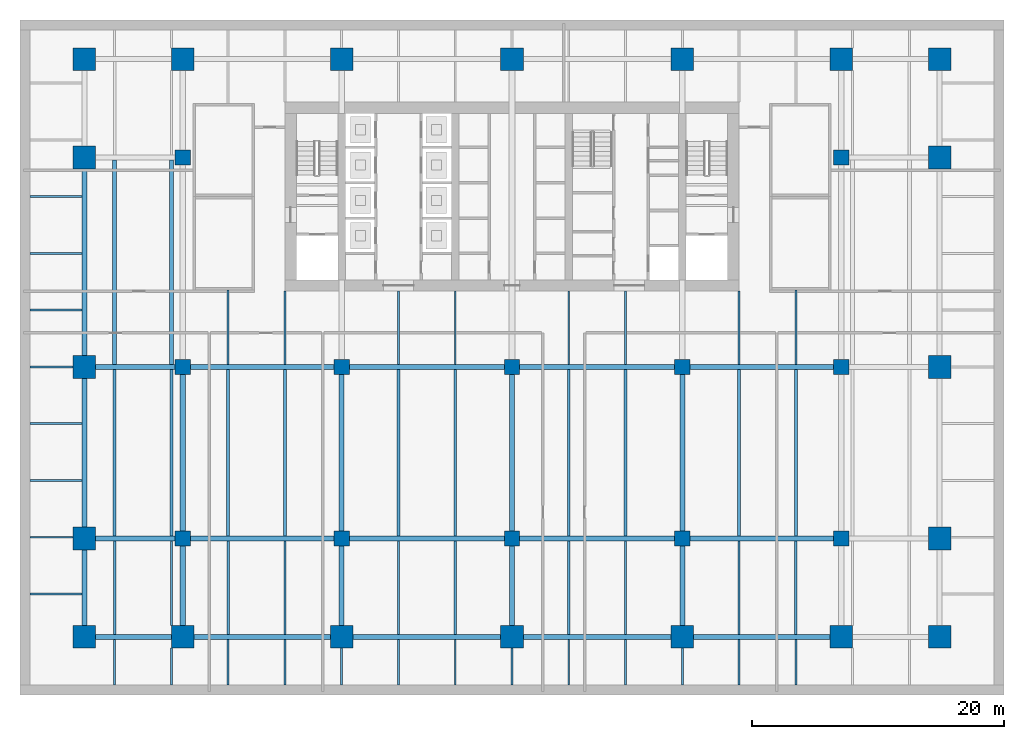
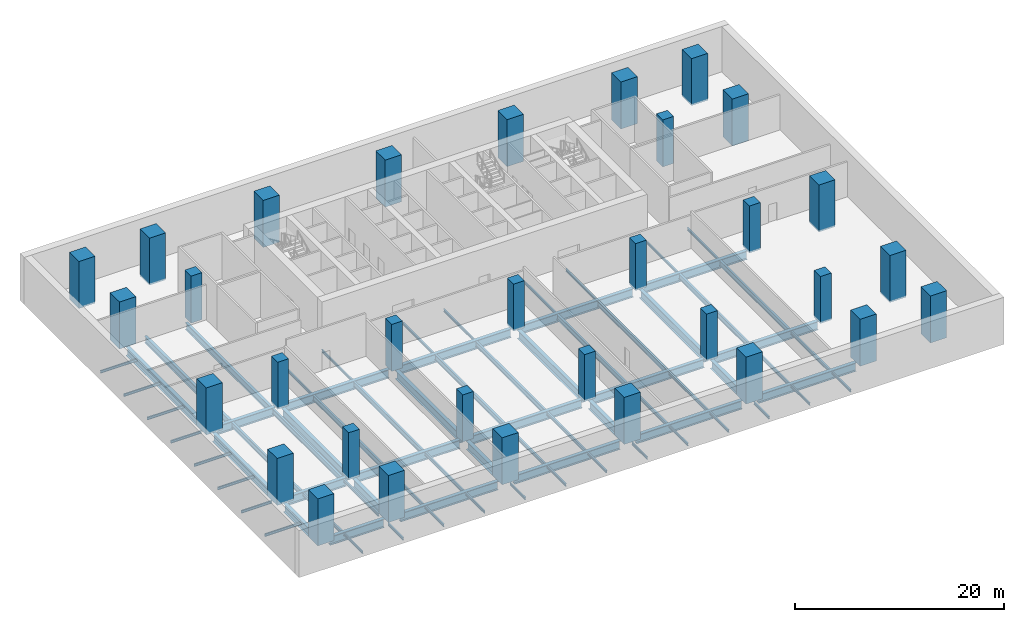
# One storey, part 1 of 11: 77 beams, 32 columns.
"""IFC4 building model written with IfcOpenShell, lengths in metres."""

import ifcopenshell
import ifcopenshell.guid

model = None  # the IFC model being written
_history = None  # IfcOwnerHistory: only IFC2X3 demands one
_inside = {}  # id of a spatial element -> (the spatial element, [elements in it])
_under = {}  # id of a project, library or spatial element -> (it, [spatial elements below it])
_declared = {}  # id of a project -> (the project, [libraries it declares])
_typed = {}  # id of a type object -> (the type object, [elements of that type])
_made_of = {}  # id of a material, layer set ... -> (it, [elements and type objects made of it])


def new_model(schema):
    """Start an empty IFC model of exactly this schema.

    Asked for "IFC4X3", IfcOpenShell would pick the latest addendum, in which some entities
    have other attributes; the version numbers below select the first issue.
    IFC2X3 requires an IfcOwnerHistory on every rooted entity: one is made here for all.
    """
    global model, _history
    if schema == "IFC4X3":
        model = ifcopenshell.file(schema_version=(4, 3, 0, 0))
    else:
        model = ifcopenshell.file(schema=schema)
    _inside.clear()
    _under.clear()
    _declared.clear()
    _typed.clear()
    _made_of.clear()
    _history = None
    if model.schema == "IFC2X3":
        org = make("IfcOrganization", Name="unknown")
        user = make(
            "IfcPersonAndOrganization",
            ThePerson=make("IfcPerson", FamilyName="unknown"),
            TheOrganization=org,
        )
        app = make(
            "IfcApplication",
            ApplicationDeveloper=org,
            Version="unknown",
            ApplicationFullName="unknown",
            ApplicationIdentifier="unknown",
        )
        _history = make(
            "IfcOwnerHistory",
            OwningUser=user,
            OwningApplication=app,
            ChangeAction="ADDED",
            CreationDate=0,
        )
    return model


def make(cls, **values):
    """One entity of the class cls with the attributes given. An attribute that is None is left unset."""
    return model.create_entity(
        cls, **{name: value for name, value in values.items() if value is not None}
    )


def rooted(cls, **values):
    """An entity with a GlobalId (a new one), such as an element, a storey or a relation."""
    return make(cls, GlobalId=ifcopenshell.guid.new(), OwnerHistory=_history, **values)


def si_unit(unit_type, name, prefix=None):
    """IfcSIUnit, for example si_unit("LENGTHUNIT", "METRE", prefix="MILLI")."""
    return make("IfcSIUnit", UnitType=unit_type, Prefix=prefix, Name=name)


def assignment(units):
    """IfcUnitAssignment: the units of a project."""
    return None if units is None else make("IfcUnitAssignment", Units=units)


def point(xyz):
    """IfcCartesianPoint."""
    return None if xyz is None else make("IfcCartesianPoint", Coordinates=xyz)


def direction(xyz):
    """IfcDirection."""
    return None if xyz is None else make("IfcDirection", DirectionRatios=xyz)


def frame(location, z_axis=None, x_axis=None):
    """IfcAxis2Placement3D, a coordinate frame: its origin and axes. An axis left out is left unset."""
    return make(
        "IfcAxis2Placement3D",
        Location=point(location),
        Axis=direction(z_axis),
        RefDirection=direction(x_axis),
    )


def frame_2d(location, x_axis=None):
    """IfcAxis2Placement2D, a coordinate frame in the plane: its origin and x axis."""
    return make(
        "IfcAxis2Placement2D", Location=point(location), RefDirection=direction(x_axis)
    )


def origin():
    """The frame at (0, 0, 0) with its axes left unset."""
    return frame((0.0, 0.0, 0.0))


def origin_2d():
    """The frame at (0, 0) in the plane with its x axis left unset."""
    return frame_2d((0.0, 0.0))


def place(relative_to, where):
    """IfcLocalPlacement: puts the frame where relative to a parent placement (None: the world)."""
    return make(
        "IfcLocalPlacement", PlacementRelTo=relative_to, RelativePlacement=where
    )


def context(
    kind, dimensions, precision=None, world=None, true_north=None, identifier=None
):
    """IfcGeometricRepresentationContext, for example the 3D "Model" context."""
    return make(
        "IfcGeometricRepresentationContext",
        ContextIdentifier=identifier,
        ContextType=kind,
        CoordinateSpaceDimension=dimensions,
        Precision=precision,
        WorldCoordinateSystem=world,
        TrueNorth=true_north,
    )


def subcontext(parent, identifier, kind, view, scale=None):
    """IfcGeometricRepresentationSubContext, for example "Body" below "Model"."""
    return make(
        "IfcGeometricRepresentationSubContext",
        ContextIdentifier=identifier,
        ContextType=kind,
        ParentContext=parent,
        TargetScale=scale,
        TargetView=view,
    )


def project(units=None, contexts=None):
    """IfcProject with its units and contexts."""
    return rooted(
        "IfcProject",
        Name="project",
        RepresentationContexts=contexts,
        UnitsInContext=assignment(units),
    )


def spatial(cls, under=None, at=None, **own):
    """A site, building, storey or space (cls), placed at a placement, below another one or the project."""
    s = rooted(cls, ObjectPlacement=at, **own)
    if under is not None:
        _under.setdefault(under.id(), (under, []))[1].append(s)
    return s


def profile(cls, at=None, kind="AREA", **sizes):
    """A parametric profile (cls). Its sizes go by their IFC names, for example OverallWidth=200.0."""
    return make(cls, ProfileType=kind, Position=at, **sizes)


def rectangle(**sizes):
    """IfcRectangleProfileDef."""
    return profile("IfcRectangleProfileDef", **sizes)


def i_section(**sizes):
    """IfcIShapeProfileDef."""
    return profile("IfcIShapeProfileDef", **sizes)


def extrude(swept, where, along, depth):
    """IfcExtrudedAreaSolid: the profile swept, set in the frame where, extruded along a direction by depth."""
    return make(
        "IfcExtrudedAreaSolid",
        SweptArea=swept,
        Position=where,
        ExtrudedDirection=direction(along),
        Depth=depth,
    )


def shape(context_of_items, identifier, shape_type, items):
    """IfcShapeRepresentation: the items that make up one representation, for example the "Body"."""
    return make(
        "IfcShapeRepresentation",
        ContextOfItems=context_of_items,
        RepresentationIdentifier=identifier,
        RepresentationType=shape_type,
        Items=items,
    )


def material(Name=None, Category=None):
    """IfcMaterial."""
    return make("IfcMaterial", Name=Name, Category=Category)


def material_profile(
    of_material, cross_section, Name=None, Category=None, Priority=None
):
    """IfcMaterialProfile: a cross section and its material."""
    return make(
        "IfcMaterialProfile",
        Name=Name,
        Material=of_material,
        Profile=cross_section,
        Priority=Priority,
        Category=Category,
    )


def profile_set(profiles, Name=None, composite=None):
    """IfcMaterialProfileSet."""
    return make(
        "IfcMaterialProfileSet",
        Name=Name,
        MaterialProfiles=profiles,
        CompositeProfile=composite,
    )


def made_of(thing, what):
    """Note that an element or type object is made of a material, layer set ...; save() writes the relation."""
    if what is not None:
        _made_of.setdefault(what.id(), (what, []))[1].append(thing)
    return thing


def type_object(cls, material=None, **own):
    """A type object (cls), such as IfcWallType, which elements share."""
    return made_of(rooted(cls, **own), material)


def element(
    cls,
    number,
    at=None,
    inside=None,
    cuts=None,
    type_object=None,
    material=None,
    context=None,
    identifier="Body",
    shape_type=None,
    held_by="IfcProductDefinitionShape",
    body=None,
    shapes=None,
    **own,
):
    """One element of the class cls, such as IfcWall. Its Tag is "e" and its number.

    at: its placement. inside: the storey or other place that contains it. cuts: it is an
    opening in that element (IfcRelVoidsElement). A single representation is given by context,
    identifier, shape_type and body (its items); several are given by shapes. held_by: the class
    of the entity that holds the representations. save() writes the other relations.
    """
    e = rooted(cls, Tag="e%d" % number, ObjectPlacement=at, **own)
    if body is not None:
        shapes = [shape(context, identifier, shape_type, body)]
    if shapes is not None:
        e.Representation = make(held_by, Representations=shapes)
    if inside is not None:
        _inside.setdefault(inside.id(), (inside, []))[1].append(e)
    if cuts is not None:
        rooted(
            "IfcRelVoidsElement", RelatingBuildingElement=cuts, RelatedOpeningElement=e
        )
    if type_object is not None:
        _typed.setdefault(type_object.id(), (type_object, []))[1].append(e)
    return made_of(e, material)


def aggregate(whole, parts):
    """IfcRelAggregates: a whole, such as a stair, and the parts it consists of."""
    return rooted("IfcRelAggregates", RelatingObject=whole, RelatedObjects=parts)


def save(model, path):
    """Write the relations noted so far, then the file.

    IfcRelAggregates (storeys below a building ...), IfcRelContainedInSpatialStructure (elements
    in a storey), IfcRelDefinesByType, IfcRelAssociatesMaterial and IfcRelDeclares: one each for
    every whole, place, type object, material and project.
    """
    for whole, parts in _under.values():
        aggregate(whole, parts)
    for where, things in _inside.values():
        rooted(
            "IfcRelContainedInSpatialStructure",
            RelatedElements=things,
            RelatingStructure=where,
        )
    for kind, things in _typed.values():
        rooted("IfcRelDefinesByType", RelatedObjects=things, RelatingType=kind)
    for what, things in _made_of.values():
        rooted("IfcRelAssociatesMaterial", RelatedObjects=things, RelatingMaterial=what)
    for by, libraries in _declared.values():
        rooted("IfcRelDeclares", RelatingContext=by, RelatedDefinitions=libraries)
    model.write(path)


model = new_model("IFC4")

# Units and contexts
model_context = context("Model", 3, precision=1e-05, world=origin(), true_north=direction((0.0, 1.0)))
body_context = subcontext(model_context, "Body", "Model", "MODEL_VIEW")
ifc_project = project(units=[si_unit("LENGTHUNIT", "METRE"), si_unit("AREAUNIT", "SQUARE_METRE"), si_unit("VOLUMEUNIT", "CUBIC_METRE"), si_unit("PLANEANGLEUNIT", "RADIAN"), si_unit("MASSUNIT", "GRAM", prefix="KILO")], contexts=[model_context])

# Site, building, storey
site_placement = place(None, origin())
site = spatial("IfcSite", under=ifc_project, at=site_placement, CompositionType="ELEMENT")
building_placement = place(site_placement, origin())
building = spatial("IfcBuilding", under=site, at=building_placement, Name="Rattan Terrace Tower", CompositionType="ELEMENT")
storey_placement = place(building_placement, frame((0.0, 0.0, -5.5)))
storey = spatial("IfcBuildingStorey", under=building, at=storey_placement, Name="B1", CompositionType="ELEMENT", Elevation=-5.5)

# Columns
ifc_material_1 = material(Name="Concrete C60/75", Category="concrete")
ifc_material_profile_1 = material_profile(ifc_material_1, rectangle(XDim=1.800048828125, YDim=1.800048828125, at=origin_2d()), Name="CFT 1800x1800")
ifc_profile_set_1 = profile_set([ifc_material_profile_1], Name="Concrete C60/75")
column_type_1 = type_object("IfcColumnType", Name="Frame exoskeleton column CFT 1800x1800", PredefinedType="COLUMN", material=ifc_profile_set_1)
for number, where, z_axis, x_axis, name in (
    (1, (-33.89990234375, -34.89990234375, -0.199951171875), (0.0, 0.0, 1.0), (1.0, 0.0, 0.0), "exo-B1-001"),
    (2, (33.89990234375, -34.89990234375, -0.199951171875), (0.0, 0.0, 1.0), (1.0, 0.0, 0.0), "exo-B1-002"),
    (3, (-33.89990234375, 10.89990234375, -0.199951171875), (0.0, 0.0, 1.0), (1.0, 0.0, 0.0), "exo-B1-003"),
    (4, (33.89990234375, 10.89990234375, -0.199951171875), (0.0, 0.0, 1.0), (1.0, 0.0, 0.0), "exo-B1-004"),
    (5, (-26.10009765625, -34.89990234375, -0.199951171875), (0.0, 0.0, 1.0), (1.0, 0.0, 0.0), "exo-B1-005"),
    (6, (-13.5, -34.89990234375, -0.199951171875), (0.0, 0.0, 1.0), (1.0, 0.0, 0.0), "exo-B1-006"),
    (7, (0.0, -34.89990234375, -0.199951171875), (0.0, 0.0, 1.0), (1.0, 0.0, 0.0), "exo-B1-007"),
    (8, (13.5, -34.89990234375, -0.199951171875), (0.0, 0.0, 1.0), (1.0, 0.0, 0.0), "exo-B1-008"),
    (9, (26.10009765625, -34.89990234375, -0.199951171875), (0.0, 0.0, 1.0), (1.0, 0.0, 0.0), "exo-B1-009"),
    (10, (-33.89990234375, -27.10009765625, -0.199951171875), (0.0, 0.0, 1.0), (0.0, 1.0, 0.0), "exo-B1-010"),
    (11, (33.89990234375, -27.10009765625, -0.199951171875), (0.0, 0.0, 1.0), (0.0, 1.0, 0.0), "exo-B1-011"),
    (12, (-33.89990234375, -13.5, -0.199951171875), (0.0, 0.0, 1.0), (0.0, 1.0, 0.0), "exo-B1-012"),
    (13, (33.89990234375, -13.5, -0.199951171875), (0.0, 0.0, 1.0), (0.0, 1.0, 0.0), "exo-B1-013"),
    (14, (-33.89990234375, 3.10009765625, -0.199951171875), (0.0, 0.0, 1.0), (0.0, 1.0, 0.0), "exo-B1-014"),
    (15, (33.89990234375, 3.10009765625, -0.199951171875), (0.0, 0.0, 1.0), (0.0, 1.0, 0.0), "exo-B1-015"),
    (16, (-26.10009765625, 10.89990234375, -0.199951171875), (0.0, 0.0, 1.0), (1.0, 0.0, 0.0), "exo-B1-016"),
    (17, (-13.5, 10.89990234375, -0.199951171875), (0.0, 0.0, 1.0), (1.0, 0.0, 0.0), "exo-B1-017"),
    (18, (0.0, 10.89990234375, -0.199951171875), (0.0, 0.0, 1.0), (1.0, 0.0, 0.0), "exo-B1-018"),
    (19, (13.5, 10.89990234375, -0.199951171875), (0.0, 0.0, 1.0), (1.0, 0.0, 0.0), "exo-B1-019"),
    (20, (26.10009765625, 10.89990234375, -0.199951171875), (0.0, 0.0, 1.0), (1.0, 0.0, 0.0), "exo-B1-020"),
):
    element("IfcColumn", number, at=place(storey_placement, frame(where, z_axis=z_axis, x_axis=x_axis)), inside=storey, type_object=column_type_1, Name=name, PredefinedType="COLUMN", context=body_context, shape_type="SweptSolid", body=[
        extrude(rectangle(XDim=1.800048828125, YDim=1.800048828125, at=origin_2d()), origin(), (0.0, 0.0, 1.0), 5.5),
    ])
ifc_material_2 = material(Name="Concrete C60/75", Category="concrete")
ifc_material_profile_2 = material_profile(ifc_material_2, rectangle(XDim=1.199951171875, YDim=1.199951171875, at=origin_2d()), Name="RC 1200x1200")
ifc_profile_set_2 = profile_set([ifc_material_profile_2], Name="Concrete C60/75")
column_type_2 = type_object("IfcColumnType", Name="Frame interior column RC 1200x1200", PredefinedType="COLUMN", material=ifc_profile_set_2)
for number, where, z_axis, x_axis, name in (
    (21, (-26.10009765625, -27.10009765625, -0.199951171875), (0.0, 0.0, 1.0), (1.0, 0.0, 0.0), "col-B1-001"),
    (22, (-13.5, -27.10009765625, -0.199951171875), (0.0, 0.0, 1.0), (1.0, 0.0, 0.0), "col-B1-002"),
    (23, (0.0, -27.10009765625, -0.199951171875), (0.0, 0.0, 1.0), (1.0, 0.0, 0.0), "col-B1-003"),
    (24, (13.5, -27.10009765625, -0.199951171875), (0.0, 0.0, 1.0), (1.0, 0.0, 0.0), "col-B1-004"),
    (25, (26.10009765625, -27.10009765625, -0.199951171875), (0.0, 0.0, 1.0), (1.0, 0.0, 0.0), "col-B1-005"),
    (26, (-26.10009765625, -13.5, -0.199951171875), (0.0, 0.0, 1.0), (1.0, 0.0, 0.0), "col-B1-006"),
    (27, (-13.5, -13.5, -0.199951171875), (0.0, 0.0, 1.0), (1.0, 0.0, 0.0), "col-B1-007"),
    (28, (0.0, -13.5, -0.199951171875), (0.0, 0.0, 1.0), (1.0, 0.0, 0.0), "col-B1-008"),
    (29, (13.5, -13.5, -0.199951171875), (0.0, 0.0, 1.0), (1.0, 0.0, 0.0), "col-B1-009"),
    (30, (26.10009765625, -13.5, -0.199951171875), (0.0, 0.0, 1.0), (1.0, 0.0, 0.0), "col-B1-010"),
    (31, (-26.10009765625, 3.10009765625, -0.199951171875), (0.0, 0.0, 1.0), (1.0, 0.0, 0.0), "col-B1-011"),
    (32, (26.10009765625, 3.10009765625, -0.199951171875), (0.0, 0.0, 1.0), (1.0, 0.0, 0.0), "col-B1-012"),
):
    element("IfcColumn", number, at=place(storey_placement, frame(where, z_axis=z_axis, x_axis=x_axis)), inside=storey, type_object=column_type_2, Name=name, PredefinedType="COLUMN", context=body_context, shape_type="SweptSolid", body=[
        extrude(rectangle(XDim=1.199951171875, YDim=1.199951171875, at=origin_2d()), origin(), (0.0, 0.0, 1.0), 5.5),
    ])

# Beams
ifc_material_3 = material(Name="Steel S355", Category="steel")
ifc_material_profile_3 = material_profile(ifc_material_3, i_section(OverallWidth=0.300048828125, OverallDepth=0.800048828125, WebThickness=0.017578125, FlangeThickness=0.032958984375, FilletRadius=0.030029296875, at=origin_2d()), Name="HE 800 B")
ifc_profile_set_3 = profile_set([ifc_material_profile_3], Name="Steel S355")
beam_type_1 = type_object("IfcBeamType", Name="Frame floor beam HE 800 B", PredefinedType="JOIST", material=ifc_profile_set_3)
for number, where, z_axis, x_axis, name in (
    (33, (-31.5, -13.300048828125, -0.60009765625), (0.0, 1.0, 0.0), (-1.0, 0.0, 0.0), "bm-B1-052"),
    (34, (-27.0, -13.300048828125, -0.60009765625), (0.0, 1.0, 0.0), (-1.0, 0.0, 0.0), "bm-B1-053"),
):
    element("IfcBeam", number, at=place(storey_placement, frame(where, z_axis=z_axis, x_axis=x_axis)), inside=storey, type_object=beam_type_1, Name=name, PredefinedType="JOIST", context=body_context, shape_type="SweptSolid", body=[
        extrude(i_section(OverallWidth=0.300048828125, OverallDepth=0.800048828125, WebThickness=0.017578125, FlangeThickness=0.032958984375, FilletRadius=0.030029296875, at=origin_2d()), origin(), (0.0, 0.0, 1.0), 16.199951171875),
    ])
ifc_material_4 = material(Name="Steel S355", Category="steel")
ifc_material_profile_4 = material_profile(ifc_material_4, i_section(OverallWidth=0.14990234375, OverallDepth=0.300048828125, WebThickness=0.007080078125, FlangeThickness=0.0107421875, FilletRadius=0.014892578125, at=origin_2d()), Name="IPE 300")
ifc_profile_set_4 = profile_set([ifc_material_profile_4], Name="Steel S355")
beam_type_2 = type_object("IfcBeamType", Name="Frame floor beam IPE 300", PredefinedType="JOIST", material=ifc_profile_set_4)
beam_1_placement = place(storey_placement, frame((-31.5, -38.699951171875, -0.35009765625), z_axis=(0.0, 1.0, 0.0), x_axis=(-1.0, 0.0, 0.0)))
element("IfcBeam", 35, at=beam_1_placement, inside=storey, type_object=beam_type_2, Name="bm-B1-003", PredefinedType="JOIST", context=body_context, shape_type="SweptSolid", body=[
    extrude(i_section(OverallWidth=0.14990234375, OverallDepth=0.300048828125, WebThickness=0.007080078125, FlangeThickness=0.0107421875, FilletRadius=0.014892578125, at=origin_2d()), origin(), (0.0, 0.0, 1.0), 3.599853515625),
])
beam_2_placement = place(storey_placement, frame((-27.0, -38.699951171875, -0.35009765625), z_axis=(0.0, 1.0, 0.0), x_axis=(-1.0, 0.0, 0.0)))
element("IfcBeam", 36, at=beam_2_placement, inside=storey, type_object=beam_type_2, Name="bm-B1-004", PredefinedType="JOIST", context=body_context, shape_type="SweptSolid", body=[
    extrude(i_section(OverallWidth=0.14990234375, OverallDepth=0.300048828125, WebThickness=0.007080078125, FlangeThickness=0.0107421875, FilletRadius=0.014892578125, at=origin_2d()), origin(), (0.0, 0.0, 1.0), 2.89990234375),
])
for number, where, z_axis, x_axis, name in (
    (37, (-22.5, -38.699951171875, -0.35009765625), (0.0, 1.0, 0.0), (-1.0, 0.0, 0.0), "bm-B1-005"),
    (38, (-18.0, -38.699951171875, -0.35009765625), (0.0, 1.0, 0.0), (-1.0, 0.0, 0.0), "bm-B1-006"),
):
    element("IfcBeam", number, at=place(storey_placement, frame(where, z_axis=z_axis, x_axis=x_axis)), inside=storey, type_object=beam_type_2, Name=name, PredefinedType="JOIST", context=body_context, shape_type="SweptSolid", body=[
        extrude(i_section(OverallWidth=0.14990234375, OverallDepth=0.300048828125, WebThickness=0.007080078125, FlangeThickness=0.0107421875, FilletRadius=0.014892578125, at=origin_2d()), origin(), (0.0, 0.0, 1.0), 3.599853515625),
    ])
beam_3_placement = place(storey_placement, frame((-13.5, -38.699951171875, -0.35009765625), z_axis=(0.0, 1.0, 0.0), x_axis=(-1.0, 0.0, 0.0)))
element("IfcBeam", 39, at=beam_3_placement, inside=storey, type_object=beam_type_2, Name="bm-B1-007", PredefinedType="JOIST", context=body_context, shape_type="SweptSolid", body=[
    extrude(i_section(OverallWidth=0.14990234375, OverallDepth=0.300048828125, WebThickness=0.007080078125, FlangeThickness=0.0107421875, FilletRadius=0.014892578125, at=origin_2d()), origin(), (0.0, 0.0, 1.0), 2.89990234375),
])
for number, where, z_axis, x_axis, name in (
    (40, (-9.0, -38.699951171875, -0.35009765625), (0.0, 1.0, 0.0), (-1.0, 0.0, 0.0), "bm-B1-008"),
    (41, (-4.5, -38.699951171875, -0.35009765625), (0.0, 1.0, 0.0), (-1.0, 0.0, 0.0), "bm-B1-009"),
):
    element("IfcBeam", number, at=place(storey_placement, frame(where, z_axis=z_axis, x_axis=x_axis)), inside=storey, type_object=beam_type_2, Name=name, PredefinedType="JOIST", context=body_context, shape_type="SweptSolid", body=[
        extrude(i_section(OverallWidth=0.14990234375, OverallDepth=0.300048828125, WebThickness=0.007080078125, FlangeThickness=0.0107421875, FilletRadius=0.014892578125, at=origin_2d()), origin(), (0.0, 0.0, 1.0), 3.599853515625),
    ])
beam_4_placement = place(storey_placement, frame((0.0, -38.699951171875, -0.35009765625), z_axis=(0.0, 1.0, 0.0), x_axis=(-1.0, 0.0, 0.0)))
element("IfcBeam", 42, at=beam_4_placement, inside=storey, type_object=beam_type_2, Name="bm-B1-010", PredefinedType="JOIST", context=body_context, shape_type="SweptSolid", body=[
    extrude(i_section(OverallWidth=0.14990234375, OverallDepth=0.300048828125, WebThickness=0.007080078125, FlangeThickness=0.0107421875, FilletRadius=0.014892578125, at=origin_2d()), origin(), (0.0, 0.0, 1.0), 2.89990234375),
])
for number, where, z_axis, x_axis, name in (
    (43, (4.5, -38.699951171875, -0.35009765625), (0.0, 1.0, 0.0), (-1.0, 0.0, 0.0), "bm-B1-011"),
    (44, (9.0, -38.699951171875, -0.35009765625), (0.0, 1.0, 0.0), (-1.0, 0.0, 0.0), "bm-B1-012"),
):
    element("IfcBeam", number, at=place(storey_placement, frame(where, z_axis=z_axis, x_axis=x_axis)), inside=storey, type_object=beam_type_2, Name=name, PredefinedType="JOIST", context=body_context, shape_type="SweptSolid", body=[
        extrude(i_section(OverallWidth=0.14990234375, OverallDepth=0.300048828125, WebThickness=0.007080078125, FlangeThickness=0.0107421875, FilletRadius=0.014892578125, at=origin_2d()), origin(), (0.0, 0.0, 1.0), 3.599853515625),
    ])
beam_5_placement = place(storey_placement, frame((13.5, -38.699951171875, -0.35009765625), z_axis=(0.0, 1.0, 0.0), x_axis=(-1.0, 0.0, 0.0)))
element("IfcBeam", 45, at=beam_5_placement, inside=storey, type_object=beam_type_2, Name="bm-B1-013", PredefinedType="JOIST", context=body_context, shape_type="SweptSolid", body=[
    extrude(i_section(OverallWidth=0.14990234375, OverallDepth=0.300048828125, WebThickness=0.007080078125, FlangeThickness=0.0107421875, FilletRadius=0.014892578125, at=origin_2d()), origin(), (0.0, 0.0, 1.0), 2.89990234375),
])
for number, where, z_axis, x_axis, name in (
    (46, (18.0, -38.699951171875, -0.35009765625), (0.0, 1.0, 0.0), (-1.0, 0.0, 0.0), "bm-B1-014"),
    (47, (22.5, -38.699951171875, -0.35009765625), (0.0, 1.0, 0.0), (-1.0, 0.0, 0.0), "bm-B1-015"),
):
    element("IfcBeam", number, at=place(storey_placement, frame(where, z_axis=z_axis, x_axis=x_axis)), inside=storey, type_object=beam_type_2, Name=name, PredefinedType="JOIST", context=body_context, shape_type="SweptSolid", body=[
        extrude(i_section(OverallWidth=0.14990234375, OverallDepth=0.300048828125, WebThickness=0.007080078125, FlangeThickness=0.0107421875, FilletRadius=0.014892578125, at=origin_2d()), origin(), (0.0, 0.0, 1.0), 3.599853515625),
    ])
beam_6_placement = place(storey_placement, frame((-38.199951171875, -31.5, -0.35009765625), z_axis=(1.0, 0.0, 0.0), x_axis=(0.0, 1.0, 0.0)))
element("IfcBeam", 48, at=beam_6_placement, inside=storey, type_object=beam_type_2, Name="bm-B1-030", PredefinedType="JOIST", context=body_context, shape_type="SweptSolid", body=[
    extrude(i_section(OverallWidth=0.14990234375, OverallDepth=0.300048828125, WebThickness=0.007080078125, FlangeThickness=0.0107421875, FilletRadius=0.014892578125, at=origin_2d()), origin(), (0.0, 0.0, 1.0), 4.099853515625),
])
beam_7_placement = place(storey_placement, frame((-38.199951171875, -27.0, -0.35009765625), z_axis=(1.0, 0.0, 0.0), x_axis=(0.0, 1.0, 0.0)))
element("IfcBeam", 49, at=beam_7_placement, inside=storey, type_object=beam_type_2, Name="bm-B1-032", PredefinedType="JOIST", context=body_context, shape_type="SweptSolid", body=[
    extrude(i_section(OverallWidth=0.14990234375, OverallDepth=0.300048828125, WebThickness=0.007080078125, FlangeThickness=0.0107421875, FilletRadius=0.014892578125, at=origin_2d()), origin(), (0.0, 0.0, 1.0), 3.39990234375),
])
for number, where, z_axis, x_axis, name in (
    (50, (-38.199951171875, -22.5, -0.35009765625), (1.0, 0.0, 0.0), (0.0, 1.0, 0.0), "bm-B1-046"),
    (51, (-38.199951171875, -18.0, -0.35009765625), (1.0, 0.0, 0.0), (0.0, 1.0, 0.0), "bm-B1-048"),
):
    element("IfcBeam", number, at=place(storey_placement, frame(where, z_axis=z_axis, x_axis=x_axis)), inside=storey, type_object=beam_type_2, Name=name, PredefinedType="JOIST", context=body_context, shape_type="SweptSolid", body=[
        extrude(i_section(OverallWidth=0.14990234375, OverallDepth=0.300048828125, WebThickness=0.007080078125, FlangeThickness=0.0107421875, FilletRadius=0.014892578125, at=origin_2d()), origin(), (0.0, 0.0, 1.0), 4.099853515625),
    ])
beam_8_placement = place(storey_placement, frame((-38.199951171875, -13.5, -0.35009765625), z_axis=(1.0, 0.0, 0.0), x_axis=(0.0, 1.0, 0.0)))
element("IfcBeam", 52, at=beam_8_placement, inside=storey, type_object=beam_type_2, Name="bm-B1-050", PredefinedType="JOIST", context=body_context, shape_type="SweptSolid", body=[
    extrude(i_section(OverallWidth=0.14990234375, OverallDepth=0.300048828125, WebThickness=0.007080078125, FlangeThickness=0.0107421875, FilletRadius=0.014892578125, at=origin_2d()), origin(), (0.0, 0.0, 1.0), 3.39990234375),
])
beam_9_placement = place(storey_placement, frame((-22.5, -13.300048828125, -0.35009765625), z_axis=(0.0, 1.0, 0.0), x_axis=(-1.0, 0.0, 0.0)))
element("IfcBeam", 53, at=beam_9_placement, inside=storey, type_object=beam_type_2, Name="bm-B1-054", PredefinedType="JOIST", context=body_context, shape_type="SweptSolid", body=[
    extrude(i_section(OverallWidth=0.14990234375, OverallDepth=0.300048828125, WebThickness=0.007080078125, FlangeThickness=0.0107421875, FilletRadius=0.014892578125, at=origin_2d()), origin(), (0.0, 0.0, 1.0), 5.900146484375),
])
for number, where, z_axis, x_axis, name in (
    (54, (-18.0, -13.300048828125, -0.35009765625), (0.0, 1.0, 0.0), (-1.0, 0.0, 0.0), "bm-B1-055"),
    (55, (-9.0, -13.300048828125, -0.35009765625), (0.0, 1.0, 0.0), (-1.0, 0.0, 0.0), "bm-B1-056"),
    (56, (-4.5, -13.300048828125, -0.35009765625), (0.0, 1.0, 0.0), (-1.0, 0.0, 0.0), "bm-B1-057"),
    (57, (4.5, -13.300048828125, -0.35009765625), (0.0, 1.0, 0.0), (-1.0, 0.0, 0.0), "bm-B1-058"),
    (58, (9.0, -13.300048828125, -0.35009765625), (0.0, 1.0, 0.0), (-1.0, 0.0, 0.0), "bm-B1-059"),
    (59, (18.0, -13.300048828125, -0.35009765625), (0.0, 1.0, 0.0), (-1.0, 0.0, 0.0), "bm-B1-060"),
):
    element("IfcBeam", number, at=place(storey_placement, frame(where, z_axis=z_axis, x_axis=x_axis)), inside=storey, type_object=beam_type_2, Name=name, PredefinedType="JOIST", context=body_context, shape_type="SweptSolid", body=[
        extrude(i_section(OverallWidth=0.14990234375, OverallDepth=0.300048828125, WebThickness=0.007080078125, FlangeThickness=0.0107421875, FilletRadius=0.014892578125, at=origin_2d()), origin(), (0.0, 0.0, 1.0), 5.800048828125),
    ])
beam_10_placement = place(storey_placement, frame((22.5, -13.300048828125, -0.35009765625), z_axis=(0.0, 1.0, 0.0), x_axis=(-1.0, 0.0, 0.0)))
element("IfcBeam", 60, at=beam_10_placement, inside=storey, type_object=beam_type_2, Name="bm-B1-061", PredefinedType="JOIST", context=body_context, shape_type="SweptSolid", body=[
    extrude(i_section(OverallWidth=0.14990234375, OverallDepth=0.300048828125, WebThickness=0.007080078125, FlangeThickness=0.0107421875, FilletRadius=0.014892578125, at=origin_2d()), origin(), (0.0, 0.0, 1.0), 5.900146484375),
])
for number, where, z_axis, x_axis, name in (
    (61, (-38.199951171875, -9.0, -0.35009765625), (1.0, 0.0, 0.0), (0.0, 1.0, 0.0), "bm-B1-064"),
    (62, (-38.199951171875, -4.5, -0.35009765625), (1.0, 0.0, 0.0), (0.0, 1.0, 0.0), "bm-B1-066"),
    (63, (-38.199951171875, 0.0, -0.35009765625), (1.0, 0.0, 0.0), (0.0, 1.0, 0.0), "bm-B1-068"),
):
    element("IfcBeam", number, at=place(storey_placement, frame(where, z_axis=z_axis, x_axis=x_axis)), inside=storey, type_object=beam_type_2, Name=name, PredefinedType="JOIST", context=body_context, shape_type="SweptSolid", body=[
        extrude(i_section(OverallWidth=0.14990234375, OverallDepth=0.300048828125, WebThickness=0.007080078125, FlangeThickness=0.0107421875, FilletRadius=0.014892578125, at=origin_2d()), origin(), (0.0, 0.0, 1.0), 4.099853515625),
    ])
ifc_material_5 = material(Name="Steel S355", Category="steel")
ifc_material_profile_5 = material_profile(ifc_material_5, i_section(OverallWidth=0.169921875, OverallDepth=0.360107421875, WebThickness=0.008056640625, FlangeThickness=0.0126953125, FilletRadius=0.01806640625, at=origin_2d()), Name="IPE 360")
ifc_profile_set_5 = profile_set([ifc_material_profile_5], Name="Steel S355")
beam_type_3 = type_object("IfcBeamType", Name="Frame floor beam IPE 360", PredefinedType="JOIST", material=ifc_profile_set_5)
beam_11_placement = place(storey_placement, frame((-27.0, -34.0, -0.3798828125), z_axis=(0.0, 1.0, 0.0), x_axis=(-1.0, 0.0, 0.0)))
element("IfcBeam", 64, at=beam_11_placement, inside=storey, type_object=beam_type_3, Name="bm-B1-028", PredefinedType="JOIST", context=body_context, shape_type="SweptSolid", body=[
    extrude(i_section(OverallWidth=0.169921875, OverallDepth=0.360107421875, WebThickness=0.008056640625, FlangeThickness=0.0126953125, FilletRadius=0.01806640625, at=origin_2d()), origin(), (0.0, 0.0, 1.0), 6.699951171875),
])
ifc_material_6 = material(Name="Steel S355", Category="steel")
ifc_material_profile_6 = material_profile(ifc_material_6, i_section(OverallWidth=0.179931640625, OverallDepth=0.39990234375, WebThickness=0.008544921875, FlangeThickness=0.013427734375, FilletRadius=0.02099609375, at=origin_2d()), Name="IPE 400")
ifc_profile_set_6 = profile_set([ifc_material_profile_6], Name="Steel S355")
beam_type_4 = type_object("IfcBeamType", Name="Frame floor beam IPE 400", PredefinedType="JOIST", material=ifc_profile_set_6)
for number, where, z_axis, x_axis, name in (
    (65, (-31.5, -34.699951171875, -0.39990234375), (0.0, 1.0, 0.0), (-1.0, 0.0, 0.0), "bm-B1-018"),
    (66, (-22.5, -34.699951171875, -0.39990234375), (0.0, 1.0, 0.0), (-1.0, 0.0, 0.0), "bm-B1-019"),
    (67, (-18.0, -34.699951171875, -0.39990234375), (0.0, 1.0, 0.0), (-1.0, 0.0, 0.0), "bm-B1-020"),
    (68, (-9.0, -34.699951171875, -0.39990234375), (0.0, 1.0, 0.0), (-1.0, 0.0, 0.0), "bm-B1-021"),
    (69, (-4.5, -34.699951171875, -0.39990234375), (0.0, 1.0, 0.0), (-1.0, 0.0, 0.0), "bm-B1-022"),
    (70, (4.5, -34.699951171875, -0.39990234375), (0.0, 1.0, 0.0), (-1.0, 0.0, 0.0), "bm-B1-023"),
    (71, (9.0, -34.699951171875, -0.39990234375), (0.0, 1.0, 0.0), (-1.0, 0.0, 0.0), "bm-B1-024"),
    (72, (18.0, -34.699951171875, -0.39990234375), (0.0, 1.0, 0.0), (-1.0, 0.0, 0.0), "bm-B1-025"),
    (73, (22.5, -34.699951171875, -0.39990234375), (0.0, 1.0, 0.0), (-1.0, 0.0, 0.0), "bm-B1-026"),
):
    element("IfcBeam", number, at=place(storey_placement, frame(where, z_axis=z_axis, x_axis=x_axis)), inside=storey, type_object=beam_type_4, Name=name, PredefinedType="JOIST", context=body_context, shape_type="SweptSolid", body=[
        extrude(i_section(OverallWidth=0.179931640625, OverallDepth=0.39990234375, WebThickness=0.008544921875, FlangeThickness=0.013427734375, FilletRadius=0.02099609375, at=origin_2d()), origin(), (0.0, 0.0, 1.0), 7.39990234375),
    ])
ifc_material_7 = material(Name="Steel S355", Category="steel")
ifc_material_profile_7 = material_profile(ifc_material_7, i_section(OverallWidth=0.22412109375, OverallDepth=0.610107421875, WebThickness=0.014892578125, FlangeThickness=0.02392578125, FilletRadius=0.02392578125, at=origin_2d()), Name="IPE O 600")
ifc_profile_set_7 = profile_set([ifc_material_profile_7], Name="Steel S355")
beam_type_5 = type_object("IfcBeamType", Name="Frame floor beam IPE O 600", PredefinedType="JOIST", material=ifc_profile_set_7)
for number, where, z_axis, x_axis, name in (
    (74, (-31.5, -26.89990234375, -0.5048828125), (0.0, 1.0, 0.0), (-1.0, 0.0, 0.0), "bm-B1-034"),
    (75, (-27.0, -26.89990234375, -0.5048828125), (0.0, 1.0, 0.0), (-1.0, 0.0, 0.0), "bm-B1-035"),
    (76, (-22.5, -26.89990234375, -0.5048828125), (0.0, 1.0, 0.0), (-1.0, 0.0, 0.0), "bm-B1-036"),
    (77, (-18.0, -26.89990234375, -0.5048828125), (0.0, 1.0, 0.0), (-1.0, 0.0, 0.0), "bm-B1-037"),
    (78, (-9.0, -26.89990234375, -0.5048828125), (0.0, 1.0, 0.0), (-1.0, 0.0, 0.0), "bm-B1-038"),
    (79, (-4.5, -26.89990234375, -0.5048828125), (0.0, 1.0, 0.0), (-1.0, 0.0, 0.0), "bm-B1-039"),
    (80, (4.5, -26.89990234375, -0.5048828125), (0.0, 1.0, 0.0), (-1.0, 0.0, 0.0), "bm-B1-040"),
    (81, (9.0, -26.89990234375, -0.5048828125), (0.0, 1.0, 0.0), (-1.0, 0.0, 0.0), "bm-B1-041"),
    (82, (18.0, -26.89990234375, -0.5048828125), (0.0, 1.0, 0.0), (-1.0, 0.0, 0.0), "bm-B1-042"),
    (83, (22.5, -26.89990234375, -0.5048828125), (0.0, 1.0, 0.0), (-1.0, 0.0, 0.0), "bm-B1-043"),
):
    element("IfcBeam", number, at=place(storey_placement, frame(where, z_axis=z_axis, x_axis=x_axis)), inside=storey, type_object=beam_type_5, Name=name, PredefinedType="JOIST", context=body_context, shape_type="SweptSolid", body=[
        extrude(i_section(OverallWidth=0.22412109375, OverallDepth=0.610107421875, WebThickness=0.014892578125, FlangeThickness=0.02392578125, FilletRadius=0.02392578125, at=origin_2d()), origin(), (0.0, 0.0, 1.0), 13.199951171875),
    ])
ifc_material_8 = material(Name="Steel S460", Category="steel")
ifc_material_profile_8 = material_profile(ifc_material_8, i_section(OverallWidth=0.39990234375, OverallDepth=1.0, WebThickness=0.01806640625, FlangeThickness=0.044921875, at=origin_2d()), Name="PG 1000x400-18-45")
ifc_profile_set_8 = profile_set([ifc_material_profile_8], Name="Steel S460")
beam_type_6 = type_object("IfcBeamType", Name="Frame podium girder PG 1000x400-18-45", PredefinedType="USERDEFINED", material=ifc_profile_set_8)
beam_12_placement = place(storey_placement, frame((-33.0, -34.89990234375, -0.699951171875), z_axis=(1.0, 0.0, 0.0), x_axis=(0.0, 1.0, 0.0)))
element("IfcBeam", 84, at=beam_12_placement, inside=storey, type_object=beam_type_6, Name="gdr-B1-001", ObjectType="PODIUM GIRDER", PredefinedType="USERDEFINED", context=body_context, shape_type="SweptSolid", body=[
    extrude(i_section(OverallWidth=0.39990234375, OverallDepth=1.0, WebThickness=0.01806640625, FlangeThickness=0.044921875, at=origin_2d()), origin(), (0.0, 0.0, 1.0), 6.0),
])
beam_13_placement = place(storey_placement, frame((-25.199951171875, -34.89990234375, -0.699951171875), z_axis=(1.0, 0.0, 0.0), x_axis=(0.0, 1.0, 0.0)))
element("IfcBeam", 85, at=beam_13_placement, inside=storey, type_object=beam_type_6, Name="gdr-B1-002", ObjectType="PODIUM GIRDER", PredefinedType="USERDEFINED", context=body_context, shape_type="SweptSolid", body=[
    extrude(i_section(OverallWidth=0.39990234375, OverallDepth=1.0, WebThickness=0.01806640625, FlangeThickness=0.044921875, at=origin_2d()), origin(), (0.0, 0.0, 1.0), 10.800048828125),
])
for number, where, z_axis, x_axis, name in (
    (86, (-12.60009765625, -34.89990234375, -0.699951171875), (1.0, 0.0, 0.0), (0.0, 1.0, 0.0), "gdr-B1-003"),
    (87, (0.89990234375, -34.89990234375, -0.699951171875), (1.0, 0.0, 0.0), (0.0, 1.0, 0.0), "gdr-B1-004"),
):
    element("IfcBeam", number, at=place(storey_placement, frame(where, z_axis=z_axis, x_axis=x_axis)), inside=storey, type_object=beam_type_6, Name=name, ObjectType="PODIUM GIRDER", PredefinedType="USERDEFINED", context=body_context, shape_type="SweptSolid", body=[
        extrude(i_section(OverallWidth=0.39990234375, OverallDepth=1.0, WebThickness=0.01806640625, FlangeThickness=0.044921875, at=origin_2d()), origin(), (0.0, 0.0, 1.0), 11.7001953125),
    ])
beam_14_placement = place(storey_placement, frame((14.39990234375, -34.89990234375, -0.699951171875), z_axis=(1.0, 0.0, 0.0), x_axis=(0.0, 1.0, 0.0)))
element("IfcBeam", 88, at=beam_14_placement, inside=storey, type_object=beam_type_6, Name="gdr-B1-005", ObjectType="PODIUM GIRDER", PredefinedType="USERDEFINED", context=body_context, shape_type="SweptSolid", body=[
    extrude(i_section(OverallWidth=0.39990234375, OverallDepth=1.0, WebThickness=0.01806640625, FlangeThickness=0.044921875, at=origin_2d()), origin(), (0.0, 0.0, 1.0), 10.800048828125),
])
beam_15_placement = place(storey_placement, frame((-33.89990234375, -34.0, -0.699951171875), z_axis=(0.0, 1.0, 0.0), x_axis=(-1.0, 0.0, 0.0)))
element("IfcBeam", 89, at=beam_15_placement, inside=storey, type_object=beam_type_6, Name="gdr-B1-007", ObjectType="PODIUM GIRDER", PredefinedType="USERDEFINED", context=body_context, shape_type="SweptSolid", body=[
    extrude(i_section(OverallWidth=0.39990234375, OverallDepth=1.0, WebThickness=0.01806640625, FlangeThickness=0.044921875, at=origin_2d()), origin(), (0.0, 0.0, 1.0), 6.0),
])
for number, where, z_axis, x_axis, name in (
    (90, (-26.10009765625, -34.0, -0.699951171875), (0.0, 1.0, 0.0), (-1.0, 0.0, 0.0), "gdr-B1-008"),
    (91, (-13.5, -34.0, -0.699951171875), (0.0, 1.0, 0.0), (-1.0, 0.0, 0.0), "gdr-B1-009"),
    (92, (0.0, -34.0, -0.699951171875), (0.0, 1.0, 0.0), (-1.0, 0.0, 0.0), "gdr-B1-010"),
    (93, (13.5, -34.0, -0.699951171875), (0.0, 1.0, 0.0), (-1.0, 0.0, 0.0), "gdr-B1-011"),
    (94, (-33.0, -27.10009765625, -0.699951171875), (1.0, 0.0, 0.0), (0.0, 1.0, 0.0), "gdr-B1-014"),
):
    element("IfcBeam", number, at=place(storey_placement, frame(where, z_axis=z_axis, x_axis=x_axis)), inside=storey, type_object=beam_type_6, Name=name, ObjectType="PODIUM GIRDER", PredefinedType="USERDEFINED", context=body_context, shape_type="SweptSolid", body=[
        extrude(i_section(OverallWidth=0.39990234375, OverallDepth=1.0, WebThickness=0.01806640625, FlangeThickness=0.044921875, at=origin_2d()), origin(), (0.0, 0.0, 1.0), 6.300048828125),
    ])
beam_16_placement = place(storey_placement, frame((-25.5, -27.10009765625, -0.699951171875), z_axis=(1.0, 0.0, 0.0), x_axis=(0.0, 1.0, 0.0)))
element("IfcBeam", 95, at=beam_16_placement, inside=storey, type_object=beam_type_6, Name="gdr-B1-015", ObjectType="PODIUM GIRDER", PredefinedType="USERDEFINED", context=body_context, shape_type="SweptSolid", body=[
    extrude(i_section(OverallWidth=0.39990234375, OverallDepth=1.0, WebThickness=0.01806640625, FlangeThickness=0.044921875, at=origin_2d()), origin(), (0.0, 0.0, 1.0), 11.39990234375),
])
for number, where, z_axis, x_axis, name in (
    (96, (-12.89990234375, -27.10009765625, -0.699951171875), (1.0, 0.0, 0.0), (0.0, 1.0, 0.0), "gdr-B1-016"),
    (97, (0.60009765625, -27.10009765625, -0.699951171875), (1.0, 0.0, 0.0), (0.0, 1.0, 0.0), "gdr-B1-017"),
):
    element("IfcBeam", number, at=place(storey_placement, frame(where, z_axis=z_axis, x_axis=x_axis)), inside=storey, type_object=beam_type_6, Name=name, ObjectType="PODIUM GIRDER", PredefinedType="USERDEFINED", context=body_context, shape_type="SweptSolid", body=[
        extrude(i_section(OverallWidth=0.39990234375, OverallDepth=1.0, WebThickness=0.01806640625, FlangeThickness=0.044921875, at=origin_2d()), origin(), (0.0, 0.0, 1.0), 12.2998046875),
    ])
beam_17_placement = place(storey_placement, frame((14.10009765625, -27.10009765625, -0.699951171875), z_axis=(1.0, 0.0, 0.0), x_axis=(0.0, 1.0, 0.0)))
element("IfcBeam", 98, at=beam_17_placement, inside=storey, type_object=beam_type_6, Name="gdr-B1-018", ObjectType="PODIUM GIRDER", PredefinedType="USERDEFINED", context=body_context, shape_type="SweptSolid", body=[
    extrude(i_section(OverallWidth=0.39990234375, OverallDepth=1.0, WebThickness=0.01806640625, FlangeThickness=0.044921875, at=origin_2d()), origin(), (0.0, 0.0, 1.0), 11.39990234375),
])
for number, where, z_axis, x_axis, name in (
    (99, (-26.10009765625, -26.5, -0.699951171875), (0.0, 1.0, 0.0), (-1.0, 0.0, 0.0), "gdr-B1-020"),
    (100, (-13.5, -26.5, -0.699951171875), (0.0, 1.0, 0.0), (-1.0, 0.0, 0.0), "gdr-B1-021"),
    (101, (0.0, -26.5, -0.699951171875), (0.0, 1.0, 0.0), (-1.0, 0.0, 0.0), "gdr-B1-022"),
    (102, (13.5, -26.5, -0.699951171875), (0.0, 1.0, 0.0), (-1.0, 0.0, 0.0), "gdr-B1-023"),
):
    element("IfcBeam", number, at=place(storey_placement, frame(where, z_axis=z_axis, x_axis=x_axis)), inside=storey, type_object=beam_type_6, Name=name, ObjectType="PODIUM GIRDER", PredefinedType="USERDEFINED", context=body_context, shape_type="SweptSolid", body=[
        extrude(i_section(OverallWidth=0.39990234375, OverallDepth=1.0, WebThickness=0.01806640625, FlangeThickness=0.044921875, at=origin_2d()), origin(), (0.0, 0.0, 1.0), 12.39990234375),
    ])
beam_18_placement = place(storey_placement, frame((-33.89990234375, -26.199951171875, -0.699951171875), z_axis=(0.0, 1.0, 0.0), x_axis=(-1.0, 0.0, 0.0)))
element("IfcBeam", 103, at=beam_18_placement, inside=storey, type_object=beam_type_6, Name="gdr-B1-025", ObjectType="PODIUM GIRDER", PredefinedType="USERDEFINED", context=body_context, shape_type="SweptSolid", body=[
    extrude(i_section(OverallWidth=0.39990234375, OverallDepth=1.0, WebThickness=0.01806640625, FlangeThickness=0.044921875, at=origin_2d()), origin(), (0.0, 0.0, 1.0), 11.800048828125),
])
beam_19_placement = place(storey_placement, frame((-33.0, -13.5, -0.699951171875), z_axis=(1.0, 0.0, 0.0), x_axis=(0.0, 1.0, 0.0)))
element("IfcBeam", 104, at=beam_19_placement, inside=storey, type_object=beam_type_6, Name="gdr-B1-027", ObjectType="PODIUM GIRDER", PredefinedType="USERDEFINED", context=body_context, shape_type="SweptSolid", body=[
    extrude(i_section(OverallWidth=0.39990234375, OverallDepth=1.0, WebThickness=0.01806640625, FlangeThickness=0.044921875, at=origin_2d()), origin(), (0.0, 0.0, 1.0), 6.300048828125),
])
beam_20_placement = place(storey_placement, frame((-25.5, -13.5, -0.699951171875), z_axis=(1.0, 0.0, 0.0), x_axis=(0.0, 1.0, 0.0)))
element("IfcBeam", 105, at=beam_20_placement, inside=storey, type_object=beam_type_6, Name="gdr-B1-028", ObjectType="PODIUM GIRDER", PredefinedType="USERDEFINED", context=body_context, shape_type="SweptSolid", body=[
    extrude(i_section(OverallWidth=0.39990234375, OverallDepth=1.0, WebThickness=0.01806640625, FlangeThickness=0.044921875, at=origin_2d()), origin(), (0.0, 0.0, 1.0), 11.39990234375),
])
for number, where, z_axis, x_axis, name in (
    (106, (-12.89990234375, -13.5, -0.699951171875), (1.0, 0.0, 0.0), (0.0, 1.0, 0.0), "gdr-B1-029"),
    (107, (0.60009765625, -13.5, -0.699951171875), (1.0, 0.0, 0.0), (0.0, 1.0, 0.0), "gdr-B1-030"),
):
    element("IfcBeam", number, at=place(storey_placement, frame(where, z_axis=z_axis, x_axis=x_axis)), inside=storey, type_object=beam_type_6, Name=name, ObjectType="PODIUM GIRDER", PredefinedType="USERDEFINED", context=body_context, shape_type="SweptSolid", body=[
        extrude(i_section(OverallWidth=0.39990234375, OverallDepth=1.0, WebThickness=0.01806640625, FlangeThickness=0.044921875, at=origin_2d()), origin(), (0.0, 0.0, 1.0), 12.2998046875),
    ])
beam_21_placement = place(storey_placement, frame((14.10009765625, -13.5, -0.699951171875), z_axis=(1.0, 0.0, 0.0), x_axis=(0.0, 1.0, 0.0)))
element("IfcBeam", 108, at=beam_21_placement, inside=storey, type_object=beam_type_6, Name="gdr-B1-031", ObjectType="PODIUM GIRDER", PredefinedType="USERDEFINED", context=body_context, shape_type="SweptSolid", body=[
    extrude(i_section(OverallWidth=0.39990234375, OverallDepth=1.0, WebThickness=0.01806640625, FlangeThickness=0.044921875, at=origin_2d()), origin(), (0.0, 0.0, 1.0), 11.39990234375),
])
beam_22_placement = place(storey_placement, frame((-33.89990234375, -12.60009765625, -0.699951171875), z_axis=(0.0, 1.0, 0.0), x_axis=(-1.0, 0.0, 0.0)))
element("IfcBeam", 109, at=beam_22_placement, inside=storey, type_object=beam_type_6, Name="gdr-B1-038", ObjectType="PODIUM GIRDER", PredefinedType="USERDEFINED", context=body_context, shape_type="SweptSolid", body=[
    extrude(i_section(OverallWidth=0.39990234375, OverallDepth=1.0, WebThickness=0.01806640625, FlangeThickness=0.044921875, at=origin_2d()), origin(), (0.0, 0.0, 1.0), 14.800048828125),
])

save(model, "model.ifc")
